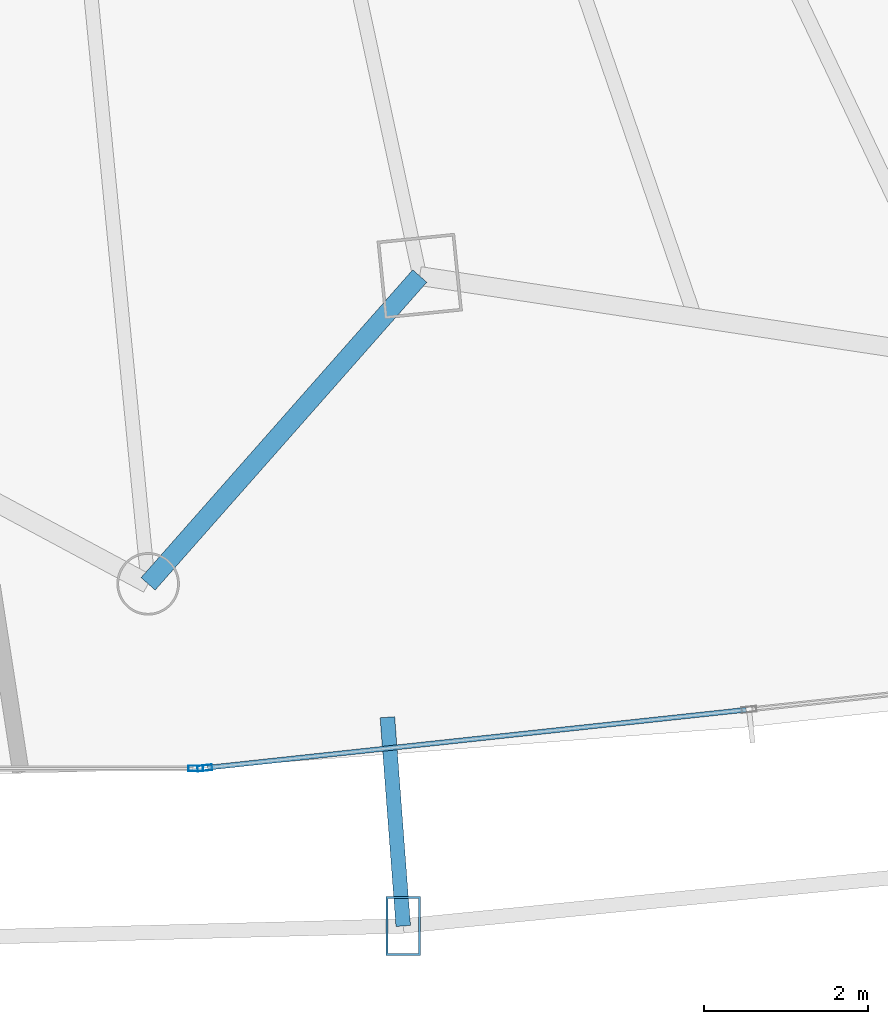
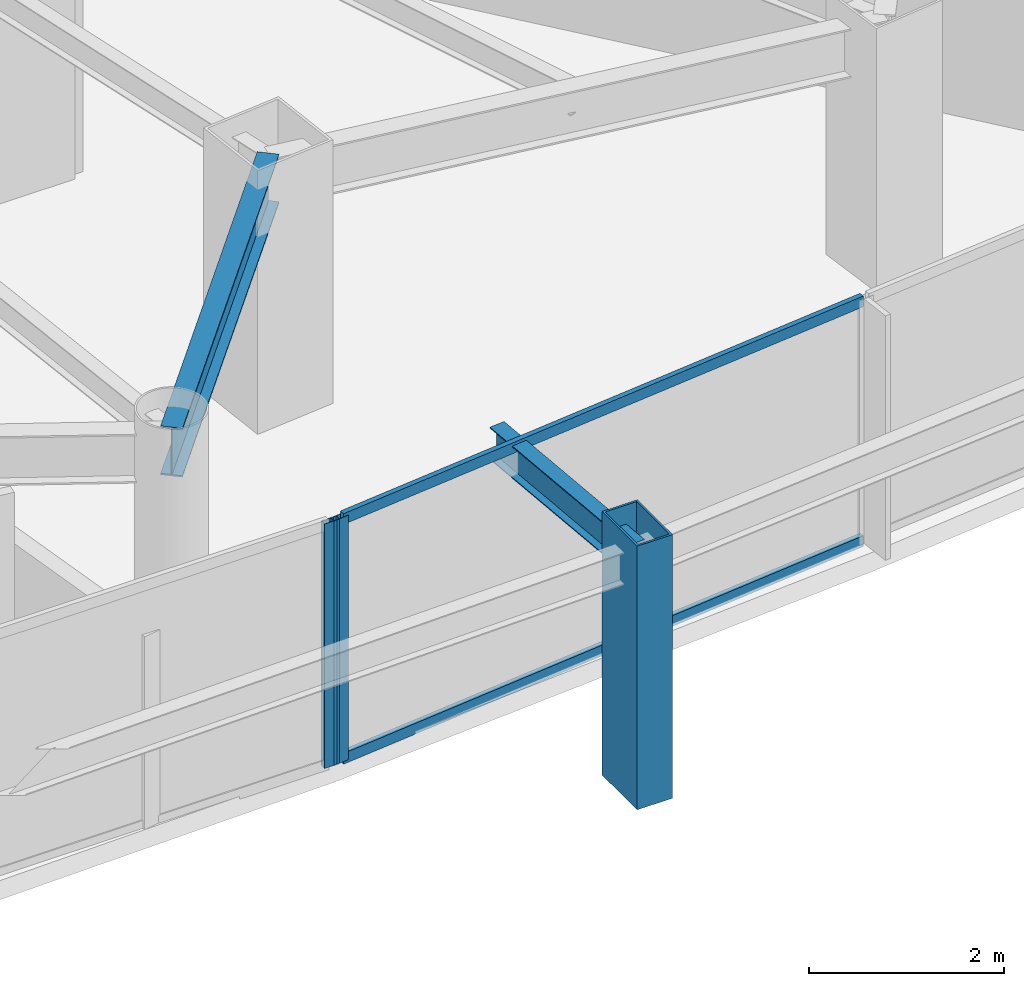
# One storey, part 12 of 35: 5 members, 2 beams, 2 elements without a shape of their own.
"""IFC4 building model written with IfcOpenShell, lengths in metres."""

from ifc_helpers import new_model, si_unit, direction, frame, origin, origin_2d, place, context, subcontext, project, spatial, hollow_rectangle, i_section, extrude, material, layer, layer_set, material_profile, profile_set, type_object, element, aggregate, save


model = new_model("IFC4")

# Units and contexts
model_context = context("Model", 3, precision=1e-05, world=origin(), true_north=direction((0.0, 1.0)))
body_context = subcontext(model_context, "Body", "Model", "MODEL_VIEW")
ifc_project = project(units=[si_unit("LENGTHUNIT", "METRE"), si_unit("AREAUNIT", "SQUARE_METRE"), si_unit("VOLUMEUNIT", "CUBIC_METRE"), si_unit("PLANEANGLEUNIT", "RADIAN"), si_unit("MASSUNIT", "GRAM", prefix="KILO")], contexts=[model_context])

# Site, building, storey
site_placement = place(None, origin())
site = spatial("IfcSite", under=ifc_project, at=site_placement, CompositionType="ELEMENT")
building_placement = place(site_placement, origin())
building = spatial("IfcBuilding", under=site, at=building_placement, Name="Orvanel Arch Residences", CompositionType="ELEMENT")
storey_placement = place(building_placement, frame((0.0, 0.0, 36.800048828125)))
storey = spatial("IfcBuildingStorey", under=building, at=storey_placement, Name="L09", CompositionType="ELEMENT", Elevation=36.800048828125)

# Member
ifc_material_1 = material(Name="Structural steel AS/NZS 3678 Grade 350", Category="steel")
ifc_material_profile_1 = material_profile(ifc_material_1, hollow_rectangle(XDim=0.419921875, YDim=0.719970703125, WallThickness=0.02490234375, at=origin_2d()), Name="RHS720x420x25")
ifc_profile_set_1 = profile_set([ifc_material_profile_1], Name="Structural steel AS/NZS 3678 Grade 350")
member_type_1 = type_object("IfcMemberType", Name="CH-720RHS-EXT", PredefinedType="CHORD", material=ifc_profile_set_1)
member_1_placement = place(storey_placement, frame((42.14990234375, -0.56298828125, 0.0), z_axis=(0.0, 0.0, 1.0), x_axis=(1.0, 0.0, 0.0)))
element("IfcMember", 1, at=member_1_placement, inside=storey, type_object=member_type_1, Name="L09 Outer Perimeter Frame Post 07", PredefinedType="CHORD", context=body_context, shape_type="SweptSolid", body=[
    extrude(hollow_rectangle(XDim=0.419921875, YDim=0.719970703125, WallThickness=0.02490234375, at=origin_2d()), origin(), (0.0, 0.0, 1.0), 3.300048828125),
])

# Curtain wall, member
ifc_material_2 = material(Name="Bronze-anodised aluminium AA6063-T6", Category="aluminium")
ifc_layer = layer(ifc_material_2, 0.179931640625)
ifc_layer_set = layer_set([ifc_layer], Name="Bronze-anodised aluminium AA6063-T6")
curtain_wall_type = type_object("IfcCurtainWallType", Name="CW2-LOW-SYS", PredefinedType="NOTDEFINED", material=ifc_layer_set)
curtain_wall_1_placement = place(storey_placement, origin())
curtain_wall_1 = element("IfcCurtainWall", 2, at=curtain_wall_1_placement, inside=storey, type_object=curtain_wall_type, Name="L09 CW2-LOW-SYS Unitised Curtain Wall", PredefinedType="NOTDEFINED")
ifc_material_profile_2 = material_profile(ifc_material_2, hollow_rectangle(XDim=0.070068359375, YDim=0.179931640625, WallThickness=0.00439453125, at=origin_2d()), Name="ALU180x70x4.5")
ifc_profile_set_2 = profile_set([ifc_material_profile_2], Name="Bronze-anodised aluminium AA6063-T6")
member_type_2 = type_object("IfcMemberType", Name="MUL-180x70", PredefinedType="MULLION", material=ifc_profile_set_2)
member_2_placement = place(storey_placement, frame((39.623046875, 1.35595703125, 0.0), z_axis=(0.0, 0.0, 1.0), x_axis=(0.0, 1.0, 0.0)))
member_2 = element("IfcMember", 3, at=member_2_placement, type_object=member_type_2, Name="CW-S2 mullion 3", PredefinedType="MULLION", context=body_context, shape_type="SweptSolid", body=[
    extrude(hollow_rectangle(XDim=0.070068359375, YDim=0.179931640625, WallThickness=0.00439453125, at=origin_2d()), origin(), (0.0, 0.0, 1.0), 3.06005859375),
])
aggregate(curtain_wall_1, [member_2])

curtain_wall_2_placement = place(storey_placement, origin())
curtain_wall_2 = element("IfcCurtainWall", 4, at=curtain_wall_2_placement, inside=storey, type_object=curtain_wall_type, Name="L09 CW2-LOW-SYS Unitised Curtain Wall", PredefinedType="NOTDEFINED")
member_3_placement = place(storey_placement, frame((39.73291015625, 1.36181640625, 0.0), z_axis=(0.0, 0.0, 1.0), x_axis=(-0.106921178668, 0.994267499998, 0.0)))
member_3 = element("IfcMember", 5, at=member_3_placement, type_object=member_type_2, Name="CW-S2 mullion 1", PredefinedType="MULLION", context=body_context, shape_type="SweptSolid", body=[
    extrude(hollow_rectangle(XDim=0.070068359375, YDim=0.179931640625, WallThickness=0.00439453125, at=origin_2d()), origin(), (0.0, 0.0, 1.0), 3.06005859375),
])

# Beams
ifc_material_3 = material(Name="Structural steel AS/NZS 3679.1 Grade 300 (300 MPa)", Category="steel")
ifc_material_profile_3 = material_profile(ifc_material_3, i_section(OverallWidth=0.177978515625, OverallDepth=0.406005859375, WebThickness=0.0078125, FlangeThickness=0.0126953125, at=origin_2d()), Name="410UB59.7")
ifc_profile_set_3 = profile_set([ifc_material_profile_3], Name="Structural steel AS/NZS 3679.1 Grade 300 (300 MPa)")
beam_type_1 = type_object("IfcBeamType", Name="OB-410UB-EXT", PredefinedType="SPANDREL", material=ifc_profile_set_3)
beam_1_placement = place(storey_placement, frame((41.95703125, 1.97998046875, 2.85693359375), z_axis=(0.07562764418, -0.997136128839, 0.0), x_axis=(0.997136128839, 0.07562764418, 0.0)))
element("IfcBeam", 6, at=beam_1_placement, inside=storey, type_object=beam_type_1, Name="L09 Outer Frame Radial Tie Beam 07", PredefinedType="SPANDREL", context=body_context, shape_type="SweptSolid", body=[
    extrude(i_section(OverallWidth=0.177978515625, OverallDepth=0.406005859375, WebThickness=0.0078125, FlangeThickness=0.0126953125, at=origin_2d()), origin(), (0.0, 0.0, 1.0), 2.55029296875),
])
ifc_material_profile_4 = material_profile(ifc_material_3, i_section(OverallWidth=0.22900390625, OverallDepth=0.612060546875, WebThickness=0.011962890625, FlangeThickness=0.01953125, at=origin_2d()), Name="610UB125")
ifc_profile_set_4 = profile_set([ifc_material_profile_4], Name="Structural steel AS/NZS 3679.1 Grade 300 (300 MPa)")
beam_type_2 = type_object("IfcBeamType", Name="SP-610UB", PredefinedType="SPANDREL", material=ifc_profile_set_4)
beam_2_placement = place(storey_placement, frame((39.0419921875, 3.60498046875, 2.75390625), z_axis=(0.661650698195, 0.749812212209, 0.0), x_axis=(-0.749812212209, 0.661650698195, 0.0)))
element("IfcBeam", 7, at=beam_2_placement, inside=storey, type_object=beam_type_2, Name="L09 Perimeter Spandrel Beam 08", PredefinedType="SPANDREL", context=body_context, shape_type="SweptSolid", body=[
    extrude(i_section(OverallWidth=0.22900390625, OverallDepth=0.612060546875, WebThickness=0.011962890625, FlangeThickness=0.01953125, at=origin_2d()), origin(), (0.0, 0.0, 1.0), 5.001220703125),
])

# Member
ifc_material_profile_5 = material_profile(ifc_material_2, hollow_rectangle(XDim=0.06005859375, YDim=0.135009765625, WallThickness=0.00390625, at=origin_2d()), Name="ALU135x60x4")
ifc_profile_set_5 = profile_set([ifc_material_profile_5], Name="Bronze-anodised aluminium AA6063-T6")
member_type_3 = type_object("IfcMemberType", Name="TRN-135x60", PredefinedType="USERDEFINED", material=ifc_profile_set_5)
member_4_placement = place(storey_placement, frame((39.767578125, 1.365478515625, 0.030029296875), z_axis=(0.994265675943, 0.106938139318, 0.0), x_axis=(-0.106938139318, 0.994265675943, 0.0)))
member_4 = element("IfcMember", 8, at=member_4_placement, type_object=member_type_3, Name="CW-S2 transom 1.1", ObjectType="TRANSOM", PredefinedType="USERDEFINED", context=body_context, shape_type="SweptSolid", body=[
    extrude(hollow_rectangle(XDim=0.06005859375, YDim=0.135009765625, WallThickness=0.00390625, at=origin_2d()), origin(), (0.0, 0.0, 1.0), 6.597900390625),
])

member_5_placement = place(storey_placement, frame((39.767578125, 1.365478515625, 3.030029296875), z_axis=(0.994265675943, 0.106938139318, 0.0), x_axis=(-0.106938139318, 0.994265675943, 0.0)))
member_5 = element("IfcMember", 9, at=member_5_placement, type_object=member_type_3, Name="CW-S2 transom 1.2", ObjectType="TRANSOM", PredefinedType="USERDEFINED", context=body_context, shape_type="SweptSolid", body=[
    extrude(hollow_rectangle(XDim=0.06005859375, YDim=0.135009765625, WallThickness=0.00390625, at=origin_2d()), origin(), (0.0, 0.0, 1.0), 6.597900390625),
])

aggregate(curtain_wall_2, [member_3, member_4, member_5])

save(model, "model.ifc")
